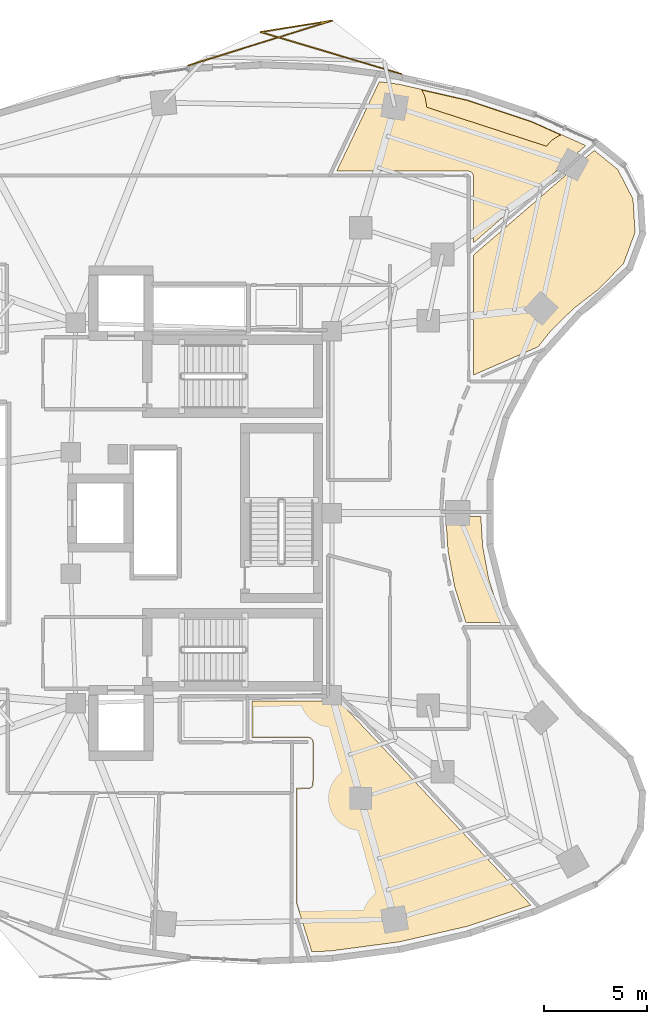
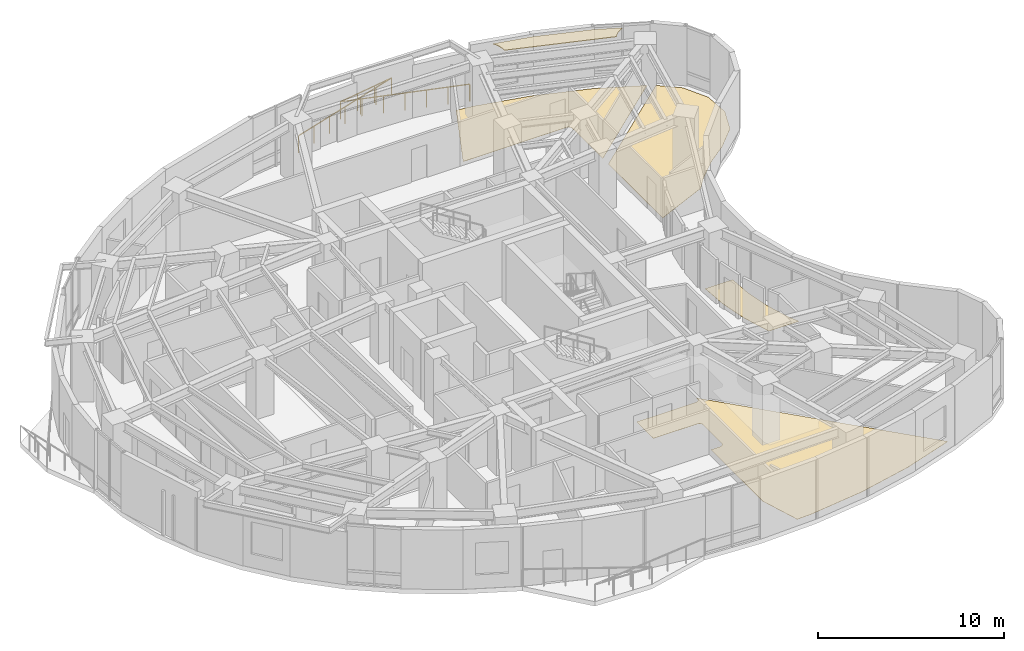
# One storey, part 15 of 15: 5 coverings, 1 railing.
"""IFC4 building model written with IfcOpenShell, lengths in metres."""

from ifc_helpers import new_model, si_unit, direction, frame, origin, origin_2d, place, context, subcontext, project, spatial, polyline, rectangle, outline, extrude, material, layer, layer_set, type_object, element, save


model = new_model("IFC4")

# Units and contexts
model_context = context("Model", 3, precision=1e-05, world=origin(), true_north=direction((0.0, 1.0)))
body_context = subcontext(model_context, "Body", "Model", "MODEL_VIEW")
ifc_project = project(units=[si_unit("LENGTHUNIT", "METRE"), si_unit("AREAUNIT", "SQUARE_METRE"), si_unit("VOLUMEUNIT", "CUBIC_METRE"), si_unit("PLANEANGLEUNIT", "RADIAN"), si_unit("MASSUNIT", "GRAM", prefix="KILO")], contexts=[model_context])

# Site, building, storey
site_placement = place(None, origin())
site = spatial("IfcSite", under=ifc_project, at=site_placement, CompositionType="ELEMENT")
building_placement = place(site_placement, origin())
building = spatial("IfcBuilding", under=site, at=building_placement, Name="Korentha Bioscience Tower", CompositionType="ELEMENT")
storey_placement = place(building_placement, frame((0.0, 0.0, 111.0)))
storey = spatial("IfcBuildingStorey", under=building, at=storey_placement, Name="L25", CompositionType="ELEMENT", Elevation=111.0)

# Railing
ifc_material_1 = material(Name="Laminated Tempered Safety Glass", Category="glass")
railing_type = type_object("IfcRailingType", Name="Laminated Glass Balcony Guardrail 1150", PredefinedType="BALUSTRADE", material=ifc_material_1)
railing_placement = place(storey_placement, frame((40.925537109375, 48.3564453125, 0.0)))
element("IfcRailing", 1, at=railing_placement, inside=storey, type_object=railing_type, Name="L25 Balcony Guardrail 01", PredefinedType="BALUSTRADE", context=body_context, shape_type="SweptSolid", body=[
    extrude(rectangle(XDim=0.048095703125, YDim=0.048095703125, at=origin_2d()), frame((0.0, 0.0, 1.1259765625), z_axis=(-0.958299428434, 0.285765997736, 0.0), x_axis=(-0.285765997736, -0.958299428434, 0.0)), (0.0, 0.0, 1.0), 7.137939453125),
    extrude(rectangle(XDim=0.048095703125, YDim=0.048095703125, at=origin_2d()), frame((-6.84033203125, 2.039794921875, 1.1259765625), z_axis=(0.987385992889, 0.158331617329, 0.0), x_axis=(-0.158331617329, 0.987385992889, 0.0)), (0.0, 0.0, 1.0), 3.544921875),
    extrude(rectangle(XDim=0.048095703125, YDim=0.048095703125, at=origin_2d()), frame((-3.340087890625, 2.60107421875, 1.1259765625), z_axis=(-0.954750497561, -0.297407947786, 0.0), x_axis=(0.297407947786, -0.954750497561, 0.0)), (0.0, 0.0, 1.0), 7.360107421875),
    extrude(rectangle(XDim=0.0419921875, YDim=0.0419921875, at=origin_2d()), origin(), (0.0, 0.0, 1.0), 1.101806640625),
    extrude(rectangle(XDim=0.0419921875, YDim=0.0419921875, at=origin_2d()), frame((-1.14013671875, 0.33984375, 0.0)), (0.0, 0.0, 1.0), 1.101806640625),
    extrude(rectangle(XDim=0.0419921875, YDim=0.0419921875, at=origin_2d()), frame((-2.280029296875, 0.679931640625, 0.0)), (0.0, 0.0, 1.0), 1.101806640625),
    extrude(rectangle(XDim=0.0419921875, YDim=0.0419921875, at=origin_2d()), frame((-3.420166015625, 1.02001953125, 0.0)), (0.0, 0.0, 1.0), 1.101806640625),
    extrude(rectangle(XDim=0.0419921875, YDim=0.0419921875, at=origin_2d()), frame((-4.560302734375, 1.35986328125, 0.0)), (0.0, 0.0, 1.0), 1.101806640625),
    extrude(rectangle(XDim=0.0419921875, YDim=0.0419921875, at=origin_2d()), frame((-5.7001953125, 1.69970703125, 0.0)), (0.0, 0.0, 1.0), 1.101806640625),
    extrude(rectangle(XDim=0.0419921875, YDim=0.0419921875, at=origin_2d()), frame((-6.84033203125, 2.039794921875, 0.0)), (0.0, 0.0, 1.0), 1.101806640625),
    extrude(rectangle(XDim=0.0419921875, YDim=0.0419921875, at=origin_2d()), frame((-5.673583984375, 2.226806640625, 0.0)), (0.0, 0.0, 1.0), 1.101806640625),
    extrude(rectangle(XDim=0.0419921875, YDim=0.0419921875, at=origin_2d()), frame((-4.5068359375, 2.4140625, 0.0)), (0.0, 0.0, 1.0), 1.101806640625),
    extrude(rectangle(XDim=0.0419921875, YDim=0.0419921875, at=origin_2d()), frame((-3.340087890625, 2.60107421875, 0.0)), (0.0, 0.0, 1.0), 1.101806640625),
    extrude(rectangle(XDim=0.0419921875, YDim=0.0419921875, at=origin_2d()), frame((-4.51123046875, 2.236328125, 0.0)), (0.0, 0.0, 1.0), 1.101806640625),
    extrude(rectangle(XDim=0.0419921875, YDim=0.0419921875, at=origin_2d()), frame((-5.682373046875, 1.871337890625, 0.0)), (0.0, 0.0, 1.0), 1.101806640625),
    extrude(rectangle(XDim=0.0419921875, YDim=0.0419921875, at=origin_2d()), frame((-6.853515625, 1.506591796875, 0.0)), (0.0, 0.0, 1.0), 1.101806640625),
    extrude(rectangle(XDim=0.0419921875, YDim=0.0419921875, at=origin_2d()), frame((-8.02490234375, 1.141845703125, 0.0)), (0.0, 0.0, 1.0), 1.101806640625),
    extrude(rectangle(XDim=0.0419921875, YDim=0.0419921875, at=origin_2d()), frame((-9.196044921875, 0.77685546875, 0.0)), (0.0, 0.0, 1.0), 1.101806640625),
    extrude(rectangle(XDim=0.0419921875, YDim=0.0419921875, at=origin_2d()), frame((-10.3671875, 0.412109375, 0.0)), (0.0, 0.0, 1.0), 1.101806640625),
])

# Coverings
ifc_material_2 = material(Name="Antimicrobial Mineral Fibre Board", Category="gypsum")
ifc_layer_1 = layer(ifc_material_2, 0.034912109375, Name="Antimicrobial Mineral Fibre Board")
ifc_layer_set_1 = layer_set([ifc_layer_1], Name="Antimicrobial Mineral Fibre Board (CL-MF35)")
covering_type_1 = type_object("IfcCoveringType", Name="Mineral-Fibre Cleanroom Suspended Ceiling 35", PredefinedType="CEILING", material=ifc_layer_set_1)
covering_1_placement = place(storey_placement, frame((0.0, 0.0, 3.864990234375)))
element("IfcCovering", 2, at=covering_1_placement, inside=storey, type_object=covering_type_1, Name="L25 Peer-Review Conference Room 11 Acoustic Ceiling", PredefinedType="CEILING", context=body_context, shape_type="SweptSolid", body=[
    extrude(outline(polyline([(42.153076171875, 46.7431640625), (42.146728515625, 46.916748046875), (42.08740234375, 47.214599609375), (42.0361328125, 47.35791015625), (41.924072265625, 47.57421875), (44.109130859375, 47.074462890625), (47.24365234375, 46.03271484375), (48.6865234375, 45.386474609375), (48.528076171875, 45.31396484375), (48.275390625, 45.14501953125), (48.162841796875, 45.04296875), (47.99462890625, 44.84130859375), (42.153076171875, 46.7431640625)])), origin(), (0.0, 0.0, 1.0), 0.034912109375),
])
ifc_material_3 = material(Name="Chemical-Resistant Epoxy Resin", Category="polymer")
ifc_layer_2 = layer(ifc_material_3, 0.011962890625, Name="Chemical-Resistant Epoxy Resin")
ifc_layer_set_2 = layer_set([ifc_layer_2], Name="Chemical-Resistant Epoxy Resin (FL-EPX)")
covering_type_2 = type_object("IfcCoveringType", Name="Seamless Epoxy Laboratory Flooring 12", PredefinedType="FLOORING", material=ifc_layer_set_2)
covering_2_placement = place(storey_placement, origin())
element("IfcCovering", 3, at=covering_2_placement, inside=storey, type_object=covering_type_2, Name="L25 Automated High-Throughput Assay Lab 05 Floor Finish", PredefinedType="FLOORING", context=body_context, shape_type="SweptSolid", body=[
    extrude(outline(polyline([(35.827880859375, 8.043212890625), (35.830078125, 13.6201171875), (36.455322265625, 13.626708984375), (36.5546875, 13.679931640625), (36.623046875, 13.793701171875), (36.6298828125, 15.85009765625), (36.607666015625, 15.94873046875), (36.518798828125, 16.047119140625), (36.410888671875, 16.07958984375), (33.679931640625, 16.080078125), (33.679931640625, 17.8701171875), (37.36181640625, 17.870361328125), (37.46875, 17.903076171875), (37.547119140625, 17.981201171875), (37.577392578125, 18.06591796875), (37.580078125, 18.198974609375), (47.235107421875, 7.932861328125), (44.1171875, 6.896484375), (40.835205078125, 6.14599609375), (37.456298828125, 5.699462890625), (36.579345703125, 5.66455078125), (35.827880859375, 8.043212890625)])), origin(), (0.0, 0.0, 1.0), 0.011962890625),
])
covering_3_placement = place(storey_placement, origin())
element("IfcCovering", 4, at=covering_3_placement, inside=storey, type_object=covering_type_2, Name="L25 HPLC Chromatography Room 07 Floor Finish", PredefinedType="FLOORING", context=body_context, shape_type="SweptSolid", body=[
    extrude(outline(polyline([(44.797607421875, 26.827880859375), (44.88916015625, 25.372802734375), (45.17529296875, 23.827880859375), (45.657470703125, 22.288818359375), (45.93212890625, 21.677978515625), (44.071044921875, 21.677978515625), (43.528076171875, 23.40673828125), (43.201416015625, 25.168701171875), (43.094482421875, 26.827880859375), (44.797607421875, 26.827880859375)])), origin(), (0.0, 0.0, 1.0), 0.011962890625),
])
covering_4_placement = place(storey_placement, origin())
element("IfcCovering", 5, at=covering_4_placement, inside=storey, type_object=covering_type_2, Name="L25 Computational Biology Open Studio 09 Floor Finish", PredefinedType="FLOORING", context=body_context, shape_type="SweptSolid", body=[
    extrude(outline(polyline([(44.429931640625, 39.539306640625), (50.31591796875, 44.63525390625), (51.4580078125, 43.710693359375), (52.20068359375, 42.26806640625), (52.29833984375, 40.648193359375), (51.734619140625, 39.126708984375), (50.556396484375, 37.9111328125), (49.308837890625, 36.94921875), (48.193603515625, 35.8525390625), (47.57763671875, 35.08251953125), (44.429931640625, 33.708984375), (44.429931640625, 39.539306640625)])), origin(), (0.0, 0.0, 1.0), 0.011962890625),
])
covering_5_placement = place(storey_placement, origin())
element("IfcCovering", 6, at=covering_5_placement, inside=storey, type_object=covering_type_2, Name="L25 Peer-Review Conference Room 11 Floor Finish", PredefinedType="FLOORING", context=body_context, shape_type="SweptSolid", body=[
    extrude(outline(polyline([(47.25439453125, 46.060546875), (49.904296875, 44.8740234375), (44.429931640625, 40.134521484375), (44.4296875, 43.410888671875), (44.39697265625, 43.518798828125), (44.298828125, 43.607666015625), (44.199951171875, 43.6298828125), (37.785888671875, 43.6298828125), (39.86181640625, 47.982666015625), (40.835205078125, 47.85400390625), (44.1171875, 47.103515625), (47.25439453125, 46.060546875)])), origin(), (0.0, 0.0, 1.0), 0.011962890625),
])

save(model, "model.ifc")
